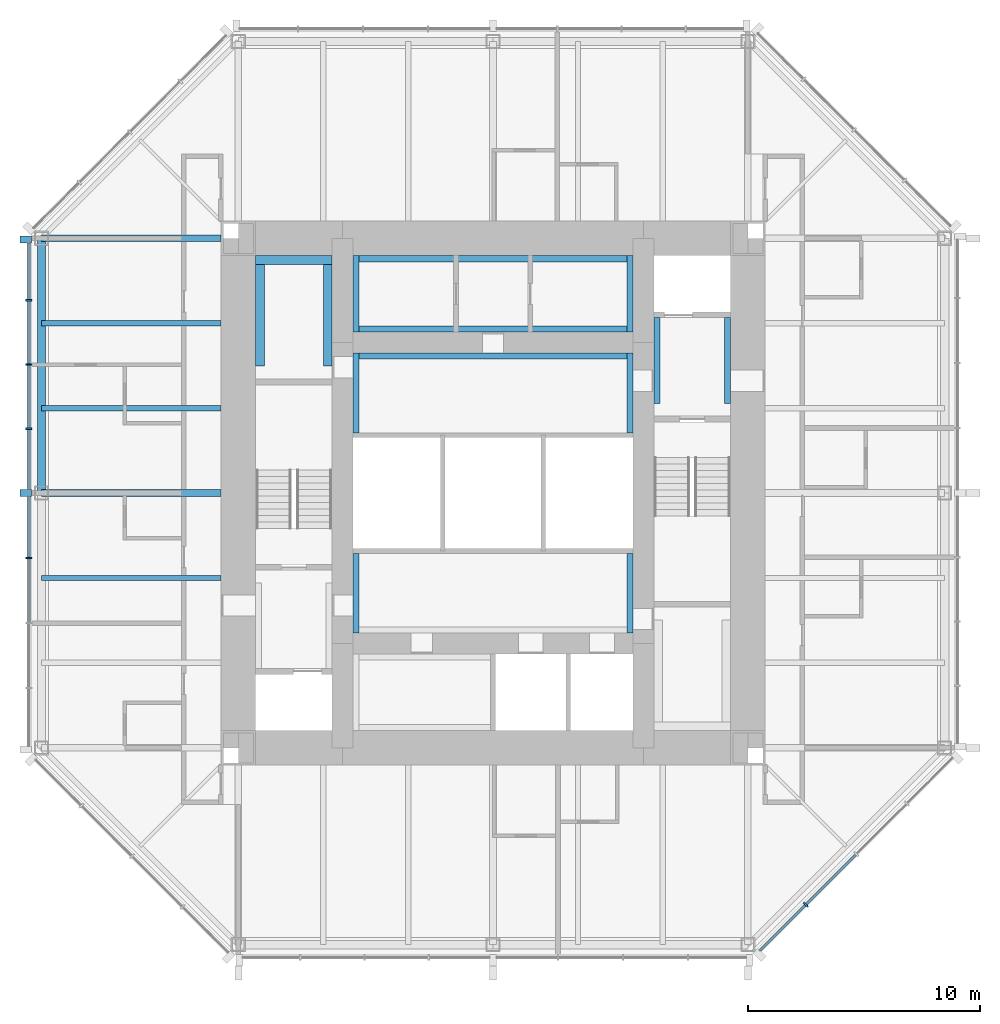
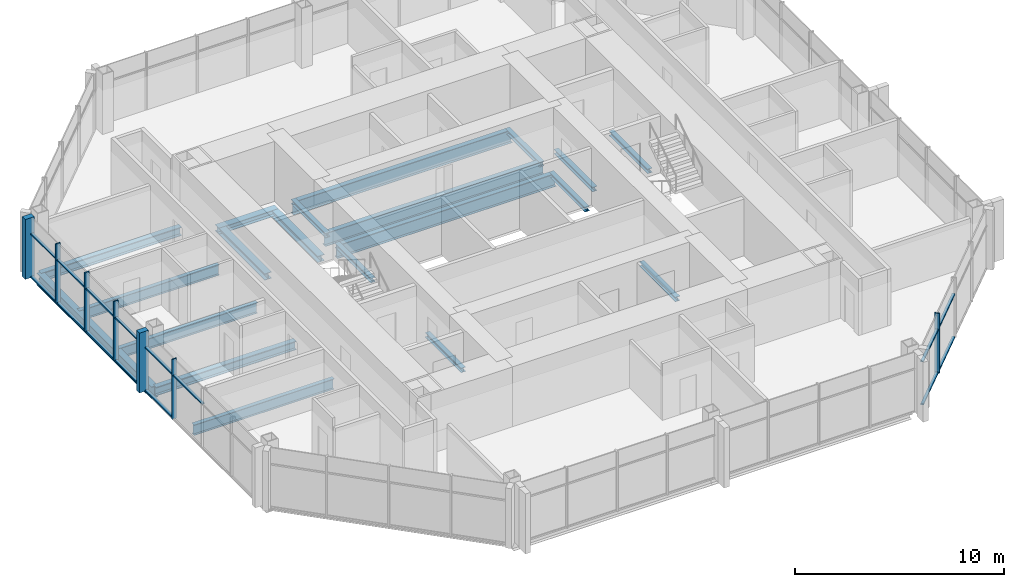
# One storey, part 3 of 11: 22 members, 20 beams, 2 elements without a shape of their own.
"""IFC4 building model written with IfcOpenShell, lengths in metres."""

from ifc_helpers import new_model, si_unit, direction, frame, origin, origin_2d, place, context, subcontext, project, spatial, rectangle, i_section, extrude, material, material_profile, profile_set, type_object, element, aggregate, save


model = new_model("IFC4")

# Units and contexts
model_context = context("Model", 3, precision=1e-05, world=origin(), true_north=direction((0.0, 1.0)))
body_context = subcontext(model_context, "Body", "Model", "MODEL_VIEW")
ifc_project = project(units=[si_unit("LENGTHUNIT", "METRE"), si_unit("AREAUNIT", "SQUARE_METRE"), si_unit("VOLUMEUNIT", "CUBIC_METRE"), si_unit("PLANEANGLEUNIT", "RADIAN"), si_unit("MASSUNIT", "GRAM", prefix="KILO")], contexts=[model_context])

# Site, building, storey
site_placement = place(None, origin())
site = spatial("IfcSite", under=ifc_project, at=site_placement, CompositionType="ELEMENT")
building_placement = place(site_placement, origin())
building = spatial("IfcBuilding", under=site, at=building_placement, Name="Trevanion Tower", CompositionType="ELEMENT")
storey_placement = place(building_placement, frame((0.0, 0.0, 250.199951171875)))
storey = spatial("IfcBuildingStorey", under=building, at=storey_placement, Name="L61", CompositionType="ELEMENT", Elevation=250.199951171875)

# Beams
ifc_material_1 = material(Name="Steel ASTM A992 Grade 50", Category="steel")
ifc_material_profile_1 = material_profile(ifc_material_1, i_section(OverallWidth=0.228271484375, OverallDepth=0.607177734375, WebThickness=0.01123046875, FlangeThickness=0.017333984375, at=origin_2d()), Name="W24X76")
ifc_profile_set_1 = profile_set([ifc_material_profile_1], Name="Steel ASTM A992 Grade 50")
beam_type_1 = type_object("IfcBeamType", Name="B11 W24X76", PredefinedType="BEAM", material=ifc_profile_set_1)
for number, where, z_axis, x_axis, name in (
    (1, (-11.75, 7.333251953125, -0.493408203125), (-1.0, 0.0, 0.0), (0.0, -1.0, 0.0), "B11 L61"),
    (2, (-11.75, 3.666748046875, -0.493408203125), (-1.0, 0.0, 0.0), (0.0, -1.0, 0.0), "B11 L61"),
    (3, (-11.75, -3.666748046875, -0.493408203125), (-1.0, 0.0, 0.0), (0.0, -1.0, 0.0), "B11 L61"),
):
    element("IfcBeam", number, at=place(storey_placement, frame(where, z_axis=z_axis, x_axis=x_axis)), inside=storey, type_object=beam_type_1, Name=name, PredefinedType="BEAM", context=body_context, shape_type="SweptSolid", body=[
        extrude(i_section(OverallWidth=0.228271484375, OverallDepth=0.607177734375, WebThickness=0.01123046875, FlangeThickness=0.017333984375, at=origin_2d()), origin(), (0.0, 0.0, 1.0), 7.75),
    ])

# Curtain wall, members
ifc_material_2 = material(Name="Aluminium and glass", Category="aluminium")
curtain_wall_type = type_object("IfcCurtainWallType", Name="CW3 curtain wall", PredefinedType="USERDEFINED", material=ifc_material_2)
curtain_wall_1_placement = place(storey_placement, origin())
curtain_wall_1 = element("IfcCurtainWall", 4, at=curtain_wall_1_placement, inside=storey, type_object=curtain_wall_type, Name="CW3 L61 4", ObjectType="UNITISED CURTAIN WALL", PredefinedType="USERDEFINED")
ifc_material_3 = material(Name="Aluminium extrusion, anodised bronze", Category="aluminium")
ifc_material_profile_2 = material_profile(ifc_material_3, rectangle(XDim=0.074951171875, YDim=0.25, at=origin_2d()), Name="CW3 mullion")
ifc_profile_set_2 = profile_set([ifc_material_profile_2], Name="Aluminium extrusion, anodised bronze")
member_type_1 = type_object("IfcMemberType", Name="CW3 mullion", PredefinedType="MULLION", material=ifc_profile_set_2)
member_1_placement = place(storey_placement, frame((-20.050048828125, 8.323486328125, -0.18994140625), z_axis=(0.0, 0.0, 1.0), x_axis=(0.0, -1.0, 0.0)))
member_1 = element("IfcMember", 5, at=member_1_placement, type_object=member_type_1, Name="CW3 mullion 2", PredefinedType="MULLION", context=body_context, shape_type="SweptSolid", body=[
    extrude(rectangle(XDim=0.074951171875, YDim=0.25, at=origin_2d()), origin(), (0.0, 0.0, 1.0), 3.5),
])
member_2_placement = place(storey_placement, frame((-20.050048828125, 5.548828125, -0.18994140625), z_axis=(0.0, 0.0, 1.0), x_axis=(0.0, -1.0, 0.0)))
member_2 = element("IfcMember", 6, at=member_2_placement, type_object=member_type_1, Name="CW3 mullion 3", PredefinedType="MULLION", context=body_context, shape_type="SweptSolid", body=[
    extrude(rectangle(XDim=0.074951171875, YDim=0.25, at=origin_2d()), origin(), (0.0, 0.0, 1.0), 3.5),
])
member_3_placement = place(storey_placement, frame((-20.050048828125, 2.7744140625, -0.18994140625), z_axis=(0.0, 0.0, 1.0), x_axis=(0.0, -1.0, 0.0)))
member_3 = element("IfcMember", 7, at=member_3_placement, type_object=member_type_1, Name="CW3 mullion 4", PredefinedType="MULLION", context=body_context, shape_type="SweptSolid", body=[
    extrude(rectangle(XDim=0.074951171875, YDim=0.25, at=origin_2d()), origin(), (0.0, 0.0, 1.0), 3.5),
])
member_4_placement = place(storey_placement, frame((-20.050048828125, -2.806884765625, -0.18994140625), z_axis=(0.0, 0.0, 1.0), x_axis=(0.0, -1.0, 0.0)))
member_4 = element("IfcMember", 8, at=member_4_placement, type_object=member_type_1, Name="CW3 mullion 6", PredefinedType="MULLION", context=body_context, shape_type="SweptSolid", body=[
    extrude(rectangle(XDim=0.074951171875, YDim=0.25, at=origin_2d()), origin(), (0.0, 0.0, 1.0), 3.5),
])

# Curtain wall, member
curtain_wall_2_placement = place(storey_placement, origin())
curtain_wall_2 = element("IfcCurtainWall", 9, at=curtain_wall_2_placement, inside=storey, type_object=curtain_wall_type, Name="CW3 L61 7", ObjectType="UNITISED CURTAIN WALL", PredefinedType="USERDEFINED")
member_5_placement = place(storey_placement, frame((13.502197265625, -17.775390625, -0.18994140625), z_axis=(0.0, 0.0, 1.0), x_axis=(0.707106781187, 0.707106781187, 0.0)))
member_5 = element("IfcMember", 10, at=member_5_placement, type_object=member_type_1, Name="CW3 mullion 2", PredefinedType="MULLION", context=body_context, shape_type="SweptSolid", body=[
    extrude(rectangle(XDim=0.074951171875, YDim=0.25, at=origin_2d()), origin(), (0.0, 0.0, 1.0), 3.5),
])

# Member
ifc_material_4 = material(Name="Aluminium extrusion, anodised bronze", Category="aluminium")
ifc_material_profile_3 = material_profile(ifc_material_4, rectangle(XDim=0.300048828125, YDim=0.5, at=origin_2d()), Name="CW3 pier mullion")
ifc_profile_set_3 = profile_set([ifc_material_profile_3], Name="Aluminium extrusion, anodised bronze")
member_type_2 = type_object("IfcMemberType", Name="CW3 pier mullion", PredefinedType="MULLION", material=ifc_profile_set_3)
member_6_placement = place(storey_placement, frame((-20.175048828125, 10.94775390625, -0.18994140625), z_axis=(0.0, 0.0, 1.0), x_axis=(0.0, -1.0, 0.0)))
member_6 = element("IfcMember", 11, at=member_6_placement, type_object=member_type_2, Name="CW3 pier mullion 1", PredefinedType="MULLION", context=body_context, shape_type="SweptSolid", body=[
    extrude(rectangle(XDim=0.300048828125, YDim=0.5, at=origin_2d()), origin(), (0.0, 0.0, 1.0), 3.5),
])

member_7_placement = place(storey_placement, frame((-20.175048828125, 0.0, -0.18994140625), z_axis=(0.0, 0.0, 1.0), x_axis=(0.0, -1.0, 0.0)))
member_7 = element("IfcMember", 12, at=member_7_placement, type_object=member_type_2, Name="CW3 pier mullion 5", PredefinedType="MULLION", context=body_context, shape_type="SweptSolid", body=[
    extrude(rectangle(XDim=0.300048828125, YDim=0.5, at=origin_2d()), origin(), (0.0, 0.0, 1.0), 3.5),
])

ifc_material_5 = material(Name="Aluminium extrusion, anodised bronze", Category="aluminium")
ifc_material_profile_4 = material_profile(ifc_material_5, rectangle(XDim=0.14990234375, YDim=0.074951171875, at=origin_2d()), Name="CW3 transom")
ifc_profile_set_4 = profile_set([ifc_material_profile_4], Name="Aluminium extrusion, anodised bronze")
member_type_3 = type_object("IfcMemberType", Name="CW3 transom", PredefinedType="USERDEFINED", material=ifc_profile_set_4)
member_8_placement = place(storey_placement, frame((-20.050048828125, 10.7978515625, -0.15234375), z_axis=(0.0, -1.0, 0.0), x_axis=(1.0, 0.0, 0.0)))
member_8 = element("IfcMember", 13, at=member_8_placement, type_object=member_type_3, Name="CW3 transom 1.1", ObjectType="TRANSOM", PredefinedType="USERDEFINED", context=body_context, shape_type="SweptSolid", body=[
    extrude(rectangle(XDim=0.14990234375, YDim=0.074951171875, at=origin_2d()), origin(), (0.0, 0.0, 1.0), 2.43701171875),
])

member_9_placement = place(storey_placement, frame((-20.050048828125, 10.7978515625, 2.360107421875), z_axis=(0.0, -1.0, 0.0), x_axis=(1.0, 0.0, 0.0)))
member_9 = element("IfcMember", 14, at=member_9_placement, type_object=member_type_3, Name="CW3 transom 1.2", ObjectType="TRANSOM", PredefinedType="USERDEFINED", context=body_context, shape_type="SweptSolid", body=[
    extrude(rectangle(XDim=0.14990234375, YDim=0.074951171875, at=origin_2d()), origin(), (0.0, 0.0, 1.0), 2.43701171875),
])

member_10_placement = place(storey_placement, frame((-20.050048828125, 8.285888671875, -0.15234375), z_axis=(0.0, -1.0, 0.0), x_axis=(1.0, 0.0, 0.0)))
member_10 = element("IfcMember", 15, at=member_10_placement, type_object=member_type_3, Name="CW3 transom 2.1", ObjectType="TRANSOM", PredefinedType="USERDEFINED", context=body_context, shape_type="SweptSolid", body=[
    extrude(rectangle(XDim=0.14990234375, YDim=0.074951171875, at=origin_2d()), origin(), (0.0, 0.0, 1.0), 2.699462890625),
])

member_11_placement = place(storey_placement, frame((-20.050048828125, 8.285888671875, 2.360107421875), z_axis=(0.0, -1.0, 0.0), x_axis=(1.0, 0.0, 0.0)))
member_11 = element("IfcMember", 16, at=member_11_placement, type_object=member_type_3, Name="CW3 transom 2.2", ObjectType="TRANSOM", PredefinedType="USERDEFINED", context=body_context, shape_type="SweptSolid", body=[
    extrude(rectangle(XDim=0.14990234375, YDim=0.074951171875, at=origin_2d()), origin(), (0.0, 0.0, 1.0), 2.699462890625),
])

member_12_placement = place(storey_placement, frame((-20.050048828125, 5.511474609375, -0.15234375), z_axis=(0.0, -1.0, 0.0), x_axis=(1.0, 0.0, 0.0)))
member_12 = element("IfcMember", 17, at=member_12_placement, type_object=member_type_3, Name="CW3 transom 3.1", ObjectType="TRANSOM", PredefinedType="USERDEFINED", context=body_context, shape_type="SweptSolid", body=[
    extrude(rectangle(XDim=0.14990234375, YDim=0.074951171875, at=origin_2d()), origin(), (0.0, 0.0, 1.0), 2.699462890625),
])

member_13_placement = place(storey_placement, frame((-20.050048828125, 5.511474609375, 2.360107421875), z_axis=(0.0, -1.0, 0.0), x_axis=(1.0, 0.0, 0.0)))
member_13 = element("IfcMember", 18, at=member_13_placement, type_object=member_type_3, Name="CW3 transom 3.2", ObjectType="TRANSOM", PredefinedType="USERDEFINED", context=body_context, shape_type="SweptSolid", body=[
    extrude(rectangle(XDim=0.14990234375, YDim=0.074951171875, at=origin_2d()), origin(), (0.0, 0.0, 1.0), 2.699462890625),
])

member_14_placement = place(storey_placement, frame((-20.050048828125, 2.737060546875, -0.15234375), z_axis=(0.0, -1.0, 0.0), x_axis=(1.0, 0.0, 0.0)))
member_14 = element("IfcMember", 19, at=member_14_placement, type_object=member_type_3, Name="CW3 transom 4.1", ObjectType="TRANSOM", PredefinedType="USERDEFINED", context=body_context, shape_type="SweptSolid", body=[
    extrude(rectangle(XDim=0.14990234375, YDim=0.074951171875, at=origin_2d()), origin(), (0.0, 0.0, 1.0), 2.587158203125),
])

member_15_placement = place(storey_placement, frame((-20.050048828125, 2.737060546875, 2.360107421875), z_axis=(0.0, -1.0, 0.0), x_axis=(1.0, 0.0, 0.0)))
member_15 = element("IfcMember", 20, at=member_15_placement, type_object=member_type_3, Name="CW3 transom 4.2", ObjectType="TRANSOM", PredefinedType="USERDEFINED", context=body_context, shape_type="SweptSolid", body=[
    extrude(rectangle(XDim=0.14990234375, YDim=0.074951171875, at=origin_2d()), origin(), (0.0, 0.0, 1.0), 2.587158203125),
])

member_16_placement = place(storey_placement, frame((-20.050048828125, -0.14990234375, -0.15234375), z_axis=(0.0, -1.0, 0.0), x_axis=(1.0, 0.0, 0.0)))
member_16 = element("IfcMember", 21, at=member_16_placement, type_object=member_type_3, Name="CW3 transom 5.1", ObjectType="TRANSOM", PredefinedType="USERDEFINED", context=body_context, shape_type="SweptSolid", body=[
    extrude(rectangle(XDim=0.14990234375, YDim=0.074951171875, at=origin_2d()), origin(), (0.0, 0.0, 1.0), 2.619384765625),
])

member_17_placement = place(storey_placement, frame((-20.050048828125, -0.14990234375, 2.360107421875), z_axis=(0.0, -1.0, 0.0), x_axis=(1.0, 0.0, 0.0)))
member_17 = element("IfcMember", 22, at=member_17_placement, type_object=member_type_3, Name="CW3 transom 5.2", ObjectType="TRANSOM", PredefinedType="USERDEFINED", context=body_context, shape_type="SweptSolid", body=[
    extrude(rectangle(XDim=0.14990234375, YDim=0.074951171875, at=origin_2d()), origin(), (0.0, 0.0, 1.0), 2.619384765625),
])

member_18_placement = place(storey_placement, frame((-20.050048828125, -2.844482421875, 2.360107421875), z_axis=(0.0, -1.0, 0.0), x_axis=(1.0, 0.0, 0.0)))
member_18 = element("IfcMember", 23, at=member_18_placement, type_object=member_type_3, Name="CW3 transom 6.2", ObjectType="TRANSOM", PredefinedType="USERDEFINED", context=body_context, shape_type="SweptSolid", body=[
    extrude(rectangle(XDim=0.14990234375, YDim=0.074951171875, at=origin_2d()), origin(), (0.0, 0.0, 1.0), 2.73193359375),
])

aggregate(curtain_wall_1, [member_6, member_1, member_2, member_3, member_7, member_4, member_8, member_9, member_10, member_11, member_12, member_13, member_14, member_15, member_16, member_17, member_18])

member_19_placement = place(storey_placement, frame((11.531982421875, -19.745849609375, -0.15234375), z_axis=(0.707106781187, 0.707106781187, 0.0), x_axis=(-0.707106781187, 0.707106781187, 0.0)))
member_19 = element("IfcMember", 24, at=member_19_placement, type_object=member_type_3, Name="CW3 transom 1.1", ObjectType="TRANSOM", PredefinedType="USERDEFINED", context=body_context, shape_type="SweptSolid", body=[
    extrude(rectangle(XDim=0.14990234375, YDim=0.074951171875, at=origin_2d()), origin(), (0.0, 0.0, 1.0), 2.7490234375),
])

member_20_placement = place(storey_placement, frame((11.531982421875, -19.745849609375, 2.360107421875), z_axis=(0.707106781187, 0.707106781187, 0.0), x_axis=(-0.707106781187, 0.707106781187, 0.0)))
member_20 = element("IfcMember", 25, at=member_20_placement, type_object=member_type_3, Name="CW3 transom 1.2", ObjectType="TRANSOM", PredefinedType="USERDEFINED", context=body_context, shape_type="SweptSolid", body=[
    extrude(rectangle(XDim=0.14990234375, YDim=0.074951171875, at=origin_2d()), origin(), (0.0, 0.0, 1.0), 2.7490234375),
])

member_21_placement = place(storey_placement, frame((13.52880859375, -17.7490234375, -0.15234375), z_axis=(0.707106781187, 0.707106781187, 0.0), x_axis=(-0.707106781187, 0.707106781187, 0.0)))
member_21 = element("IfcMember", 26, at=member_21_placement, type_object=member_type_3, Name="CW3 transom 2.1", ObjectType="TRANSOM", PredefinedType="USERDEFINED", context=body_context, shape_type="SweptSolid", body=[
    extrude(rectangle(XDim=0.14990234375, YDim=0.074951171875, at=origin_2d()), origin(), (0.0, 0.0, 1.0), 3.01171875),
])

member_22_placement = place(storey_placement, frame((13.52880859375, -17.7490234375, 2.360107421875), z_axis=(0.707106781187, 0.707106781187, 0.0), x_axis=(-0.707106781187, 0.707106781187, 0.0)))
member_22 = element("IfcMember", 27, at=member_22_placement, type_object=member_type_3, Name="CW3 transom 2.2", ObjectType="TRANSOM", PredefinedType="USERDEFINED", context=body_context, shape_type="SweptSolid", body=[
    extrude(rectangle(XDim=0.14990234375, YDim=0.074951171875, at=origin_2d()), origin(), (0.0, 0.0, 1.0), 3.01171875),
])

aggregate(curtain_wall_2, [member_5, member_19, member_20, member_21, member_22])

# Beams
ifc_material_6 = material(Name="Steel ASTM A992 Grade 50", Category="steel")
ifc_material_profile_5 = material_profile(ifc_material_6, i_section(OverallWidth=0.28955078125, OverallDepth=0.508056640625, WebThickness=0.022705078125, FlangeThickness=0.040283203125, at=origin_2d()), Name="W18X175")
ifc_profile_set_5 = profile_set([ifc_material_profile_5], Name="Steel ASTM A992 Grade 50")
beam_type_2 = type_object("IfcBeamType", Name="G6 W18X175", PredefinedType="BEAM", material=ifc_profile_set_5)
for number, where, z_axis, x_axis, name in (
    (28, (-11.75, 11.0, -0.44384765625), (-1.0, 0.0, 0.0), (0.0, -1.0, 0.0), "G6 L61"),
    (29, (-11.75, 0.0, -0.44384765625), (-1.0, 0.0, 0.0), (0.0, -1.0, 0.0), "G6 L61"),
):
    element("IfcBeam", number, at=place(storey_placement, frame(where, z_axis=z_axis, x_axis=x_axis)), inside=storey, type_object=beam_type_2, Name=name, PredefinedType="BEAM", context=body_context, shape_type="SweptSolid", body=[
        extrude(i_section(OverallWidth=0.28955078125, OverallDepth=0.508056640625, WebThickness=0.022705078125, FlangeThickness=0.040283203125, at=origin_2d()), origin(), (0.0, 0.0, 1.0), 7.75),
    ])
ifc_material_7 = material(Name="Steel ASTM A992 Grade 50", Category="steel")
ifc_material_profile_6 = material_profile(ifc_material_7, i_section(OverallWidth=0.256591796875, OverallDepth=0.26416015625, WebThickness=0.011962890625, FlangeThickness=0.01953125, at=origin_2d()), Name="W10X68")
ifc_profile_set_6 = profile_set([ifc_material_profile_6], Name="Steel ASTM A992 Grade 50")
beam_type_3 = type_object("IfcBeamType", Name="LB1 W10X68", PredefinedType="BEAM", material=ifc_profile_set_6)
for number, where, z_axis, x_axis, name in (
    (30, (-5.921630859375, 2.60009765625, -0.33203125), (0.0, 1.0, 0.0), (-1.0, 0.0, 0.0), "LB1 L61"),
    (31, (5.921630859375, 2.60009765625, -0.33203125), (0.0, 1.0, 0.0), (-1.0, 0.0, 0.0), "LB1 L61"),
    (32, (-5.921630859375, -6.050048828125, -0.33203125), (0.0, 1.0, 0.0), (-1.0, 0.0, 0.0), "LB1 L61"),
    (33, (5.921630859375, -6.050048828125, -0.33203125), (0.0, 1.0, 0.0), (-1.0, 0.0, 0.0), "LB1 L61"),
):
    element("IfcBeam", number, at=place(storey_placement, frame(where, z_axis=z_axis, x_axis=x_axis)), inside=storey, type_object=beam_type_3, Name=name, PredefinedType="BEAM", context=body_context, shape_type="SweptSolid", body=[
        extrude(i_section(OverallWidth=0.256591796875, OverallDepth=0.26416015625, WebThickness=0.011962890625, FlangeThickness=0.01953125, at=origin_2d()), origin(), (0.0, 0.0, 1.0), 3.449951171875),
    ])
for number, where, z_axis, x_axis, name in (
    (34, (7.078369140625, 3.875, -0.33203125), (0.0, 1.0, 0.0), (-1.0, 0.0, 0.0), "LB1 L61"),
    (35, (10.12158203125, 3.875, -0.33203125), (0.0, 1.0, 0.0), (-1.0, 0.0, 0.0), "LB1 L61"),
):
    element("IfcBeam", number, at=place(storey_placement, frame(where, z_axis=z_axis, x_axis=x_axis)), inside=storey, type_object=beam_type_3, Name=name, PredefinedType="BEAM", context=body_context, shape_type="SweptSolid", body=[
        extrude(i_section(OverallWidth=0.256591796875, OverallDepth=0.26416015625, WebThickness=0.011962890625, FlangeThickness=0.01953125, at=origin_2d()), origin(), (0.0, 0.0, 1.0), 3.699951171875),
    ])
for number, where, z_axis, x_axis, name in (
    (36, (-5.921630859375, 6.949951171875, -0.33203125), (0.0, 1.0, 0.0), (-1.0, 0.0, 0.0), "LB1 L61"),
    (37, (5.921630859375, 6.949951171875, -0.33203125), (0.0, 1.0, 0.0), (-1.0, 0.0, 0.0), "LB1 L61"),
):
    element("IfcBeam", number, at=place(storey_placement, frame(where, z_axis=z_axis, x_axis=x_axis)), inside=storey, type_object=beam_type_3, Name=name, PredefinedType="BEAM", context=body_context, shape_type="SweptSolid", body=[
        extrude(i_section(OverallWidth=0.256591796875, OverallDepth=0.26416015625, WebThickness=0.011962890625, FlangeThickness=0.01953125, at=origin_2d()), origin(), (0.0, 0.0, 1.0), 3.300048828125),
    ])
ifc_material_8 = material(Name="Steel ASTM A992 Grade 50", Category="steel")
ifc_material_profile_7 = material_profile(ifc_material_8, i_section(OverallWidth=0.373291015625, OverallDepth=0.373291015625, WebThickness=0.016357421875, FlangeThickness=0.026123046875, at=origin_2d()), Name="W14X132")
ifc_profile_set_7 = profile_set([ifc_material_profile_7], Name="Steel ASTM A992 Grade 50")
beam_type_4 = type_object("IfcBeamType", Name="LB2 W14X132", PredefinedType="BEAM", material=ifc_profile_set_7)
for number, where, z_axis, x_axis, name in (
    (38, (-10.063232421875, 5.47509765625, -0.38671875), (0.0, 1.0, 0.0), (-1.0, 0.0, 0.0), "LB2 L61"),
    (39, (-7.13671875, 5.47509765625, -0.38671875), (0.0, 1.0, 0.0), (-1.0, 0.0, 0.0), "LB2 L61"),
):
    element("IfcBeam", number, at=place(storey_placement, frame(where, z_axis=z_axis, x_axis=x_axis)), inside=storey, type_object=beam_type_4, Name=name, PredefinedType="BEAM", context=body_context, shape_type="SweptSolid", body=[
        extrude(i_section(OverallWidth=0.373291015625, OverallDepth=0.373291015625, WebThickness=0.016357421875, FlangeThickness=0.026123046875, at=origin_2d()), origin(), (0.0, 0.0, 1.0), 4.77490234375),
    ])
beam_1_placement = place(storey_placement, frame((-10.25, 10.063232421875, -0.38671875), z_axis=(1.0, 0.0, 0.0), x_axis=(0.0, 1.0, 0.0)))
element("IfcBeam", 40, at=beam_1_placement, inside=storey, type_object=beam_type_4, Name="LB2 L61", PredefinedType="BEAM", context=body_context, shape_type="SweptSolid", body=[
    extrude(i_section(OverallWidth=0.373291015625, OverallDepth=0.373291015625, WebThickness=0.016357421875, FlangeThickness=0.026123046875, at=origin_2d()), origin(), (0.0, 0.0, 1.0), 3.300048828125),
])
ifc_material_9 = material(Name="Steel ASTM A992 Grade 50", Category="steel")
ifc_material_profile_8 = material_profile(ifc_material_9, i_section(OverallWidth=0.2666015625, OverallDepth=0.76953125, WebThickness=0.015625, FlangeThickness=0.025390625, at=origin_2d()), Name="W30X132")
ifc_profile_set_8 = profile_set([ifc_material_profile_8], Name="Steel ASTM A992 Grade 50")
beam_type_5 = type_object("IfcBeamType", Name="LB3 W30X132", PredefinedType="BEAM", material=ifc_profile_set_8)
for number, where, z_axis, x_axis, name in (
    (41, (-6.050048828125, 5.91650390625, -0.584716796875), (1.0, 0.0, 0.0), (0.0, 1.0, 0.0), "LB3 L61"),
    (42, (-6.050048828125, 7.08349609375, -0.584716796875), (1.0, 0.0, 0.0), (0.0, 1.0, 0.0), "LB3 L61"),
    (43, (-6.050048828125, 10.11669921875, -0.584716796875), (1.0, 0.0, 0.0), (0.0, 1.0, 0.0), "LB3 L61"),
):
    element("IfcBeam", number, at=place(storey_placement, frame(where, z_axis=z_axis, x_axis=x_axis)), inside=storey, type_object=beam_type_5, Name=name, PredefinedType="BEAM", context=body_context, shape_type="SweptSolid", body=[
        extrude(i_section(OverallWidth=0.2666015625, OverallDepth=0.76953125, WebThickness=0.015625, FlangeThickness=0.025390625, at=origin_2d()), origin(), (0.0, 0.0, 1.0), 12.10009765625),
    ])
ifc_material_10 = material(Name="Steel ASTM A992 Grade 50", Category="steel")
ifc_material_profile_9 = material_profile(ifc_material_10, i_section(OverallWidth=0.355712890625, OverallDepth=0.696044921875, WebThickness=0.015380859375, FlangeThickness=0.024658203125, at=origin_2d()), Name="W27X146")
ifc_profile_set_9 = profile_set([ifc_material_profile_9], Name="Steel ASTM A992 Grade 50")
beam_type_6 = type_object("IfcBeamType", Name="SB8 W27X146", PredefinedType="SPANDREL", material=ifc_profile_set_9)
beam_2_placement = place(storey_placement, frame((-19.5, 11.0, -0.537841796875), z_axis=(0.0, -1.0, 0.0), x_axis=(1.0, 0.0, 0.0)))
element("IfcBeam", 44, at=beam_2_placement, inside=storey, type_object=beam_type_6, Name="SB8 L61", PredefinedType="SPANDREL", context=body_context, shape_type="SweptSolid", body=[
    extrude(i_section(OverallWidth=0.355712890625, OverallDepth=0.696044921875, WebThickness=0.015380859375, FlangeThickness=0.024658203125, at=origin_2d()), origin(), (0.0, 0.0, 1.0), 11.0),
])

save(model, "model.ifc")
